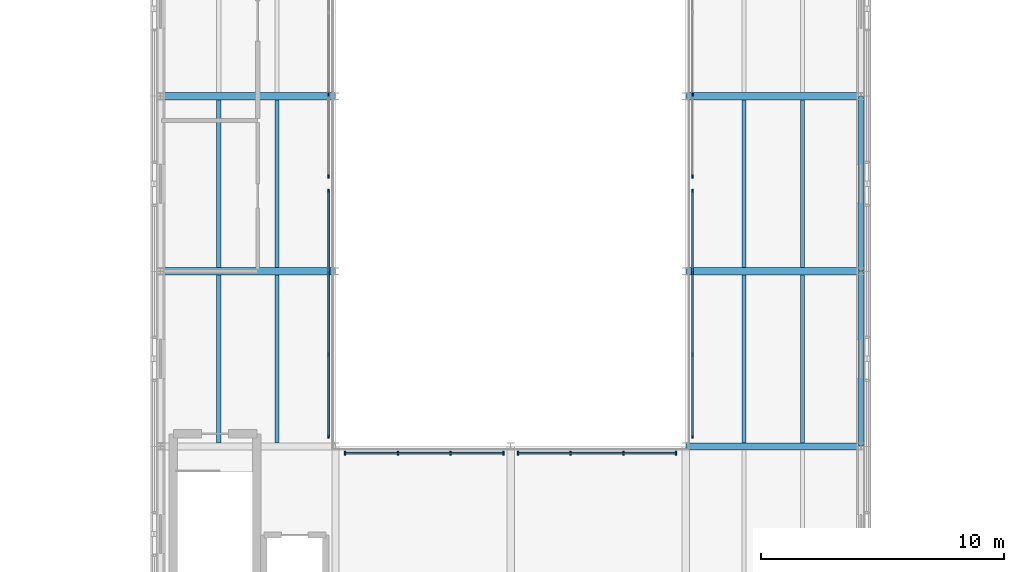
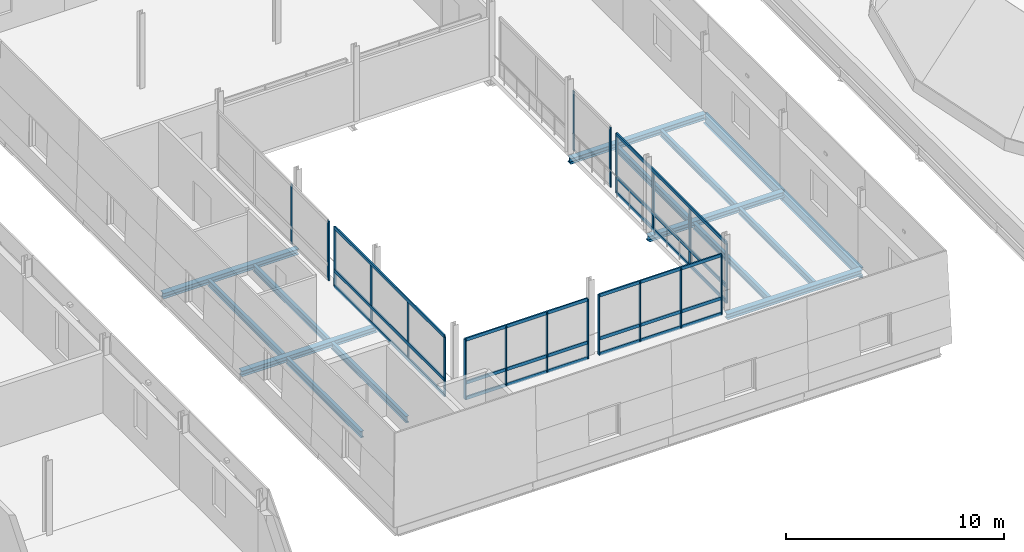
# One storey, part 10 of 66: 32 members, 15 beams, 6 elements without a shape of their own.
"""IFC4 building model written with IfcOpenShell, lengths in metres."""

from ifc_helpers import new_model, si_unit, direction, frame, origin, origin_2d, place, context, subcontext, project, spatial, rectangle, i_section, extrude, material, layer, layer_set, material_profile, profile_set, type_object, element, aggregate, save


model = new_model("IFC4")

# Units and contexts
model_context = context("Model", 3, precision=1e-05, world=origin(), true_north=direction((0.0, 1.0)))
body_context = subcontext(model_context, "Body", "Model", "MODEL_VIEW")
ifc_project = project(units=[si_unit("LENGTHUNIT", "METRE"), si_unit("AREAUNIT", "SQUARE_METRE"), si_unit("VOLUMEUNIT", "CUBIC_METRE"), si_unit("PLANEANGLEUNIT", "RADIAN"), si_unit("MASSUNIT", "GRAM", prefix="KILO")], contexts=[model_context])

# Site, building, storey
site_placement = place(None, origin())
site = spatial("IfcSite", under=ifc_project, at=site_placement, CompositionType="ELEMENT")
building_placement = place(site_placement, origin())
building = spatial("IfcBuilding", under=site, at=building_placement, Name="Narikvali Park Central Library", CompositionType="ELEMENT")
storey_placement = place(building_placement, frame((0.0, 0.0, 18.60009765625)))
storey = spatial("IfcBuildingStorey", under=building, at=storey_placement, Name="L04", CompositionType="ELEMENT", Elevation=18.60009765625)

# Beams
ifc_material_1 = material(Name="Steel S355", Category="steel")
ifc_material_profile_1 = material_profile(ifc_material_1, i_section(OverallWidth=0.169921875, OverallDepth=0.360107421875, WebThickness=0.008056640625, FlangeThickness=0.0126953125, FilletRadius=0.01806640625, at=origin_2d()), Name="IPE 360")
ifc_profile_set_1 = profile_set([ifc_material_profile_1], Name="Steel S355")
beam_type_1 = type_object("IfcBeamType", Name="Composite Floor Joist IPE360", PredefinedType="JOIST", material=ifc_profile_set_1)
for number, where, z_axis, x_axis, name in (
    (1, (31.199951171875, 64.949951171875, -0.440185546875), (0.0, 1.0, 0.0), (-1.0, 0.0, 0.0), "V4 L04 Composite Joist 1"),
    (2, (33.60009765625, 64.949951171875, -0.440185546875), (0.0, 1.0, 0.0), (-1.0, 0.0, 0.0), "V4 L04 Composite Joist 2"),
    (3, (31.199951171875, 72.14990234375, -0.440185546875), (0.0, 1.0, 0.0), (-1.0, 0.0, 0.0), "V4 L04 Composite Joist 1"),
    (4, (33.60009765625, 72.14990234375, -0.440185546875), (0.0, 1.0, 0.0), (-1.0, 0.0, 0.0), "V4 L04 Composite Joist 2"),
    (5, (52.800048828125, 64.949951171875, -0.440185546875), (0.0, 1.0, 0.0), (-1.0, 0.0, 0.0), "V4 L04 Composite Joist 1"),
    (6, (55.199951171875, 64.949951171875, -0.440185546875), (0.0, 1.0, 0.0), (-1.0, 0.0, 0.0), "V4 L04 Composite Joist 2"),
    (7, (52.800048828125, 72.14990234375, -0.440185546875), (0.0, 1.0, 0.0), (-1.0, 0.0, 0.0), "V4 L04 Composite Joist 1"),
    (8, (55.199951171875, 72.14990234375, -0.440185546875), (0.0, 1.0, 0.0), (-1.0, 0.0, 0.0), "V4 L04 Composite Joist 2"),
):
    element("IfcBeam", number, at=place(storey_placement, frame(where, z_axis=z_axis, x_axis=x_axis)), inside=storey, type_object=beam_type_1, Name=name, PredefinedType="JOIST", context=body_context, shape_type="SweptSolid", body=[
        extrude(i_section(OverallWidth=0.169921875, OverallDepth=0.360107421875, WebThickness=0.008056640625, FlangeThickness=0.0126953125, FilletRadius=0.01806640625, at=origin_2d()), origin(), (0.0, 0.0, 1.0), 6.900146484375),
    ])

# Curtain wall, members
ifc_material_2 = material(Name="Anodised Bronze Aluminium", Category="aluminium")
ifc_layer = layer(ifc_material_2, 0.219970703125, Name="Anodised Bronze Aluminium")
ifc_layer_set = layer_set([ifc_layer], Name="Anodised Bronze Aluminium")
curtain_wall_type = type_object("IfcCurtainWallType", Name="Atrium Tall Curtain Wall System", PredefinedType="NOTDEFINED", material=ifc_layer_set)
curtain_wall_1_placement = place(storey_placement, origin())
curtain_wall_1 = element("IfcCurtainWall", 9, at=curtain_wall_1_placement, inside=storey, type_object=curtain_wall_type, Name="Atrium Tall Curtain Wall System CW-INT-V4-L04-W1", PredefinedType="NOTDEFINED")
ifc_material_profile_2 = material_profile(ifc_material_2, rectangle(XDim=0.074951171875, YDim=0.179931640625, at=origin_2d()), Name="CW TRANSOM 75x180")
ifc_profile_set_2 = profile_set([ifc_material_profile_2], Name="Anodised Bronze Aluminium")
member_type_1 = type_object("IfcMemberType", Name="Curtain Wall Heavy Transom 75x180", PredefinedType="USERDEFINED", material=ifc_profile_set_2)
member_1_placement = place(storey_placement, frame((35.719970703125, 65.199951171875, 0.02978515625), z_axis=(0.0, 1.0, 0.0), x_axis=(-1.0, 0.0, 0.0)))
member_1 = element("IfcMember", 10, at=member_1_placement, type_object=member_type_1, Name="CW-INT-V4-L04-W1 Transom 00", ObjectType="TRANSOM", PredefinedType="USERDEFINED", context=body_context, shape_type="SweptSolid", body=[
    extrude(rectangle(XDim=0.074951171875, YDim=0.179931640625, at=origin_2d()), origin(), (0.0, 0.0, 1.0), 10.10009765625),
])
member_2_placement = place(storey_placement, frame((35.719970703125, 65.199951171875, 0.89990234375), z_axis=(0.0, 1.0, 0.0), x_axis=(-1.0, 0.0, 0.0)))
member_2 = element("IfcMember", 11, at=member_2_placement, type_object=member_type_1, Name="CW-INT-V4-L04-W1 Transom 01", ObjectType="TRANSOM", PredefinedType="USERDEFINED", context=body_context, shape_type="SweptSolid", body=[
    extrude(rectangle(XDim=0.074951171875, YDim=0.179931640625, at=origin_2d()), origin(), (0.0, 0.0, 1.0), 10.10009765625),
])
member_3_placement = place(storey_placement, frame((35.719970703125, 65.199951171875, 3.309814453125), z_axis=(0.0, 1.0, 0.0), x_axis=(-1.0, 0.0, 0.0)))
member_3 = element("IfcMember", 12, at=member_3_placement, type_object=member_type_1, Name="CW-INT-V4-L04-W1 Transom 02", ObjectType="TRANSOM", PredefinedType="USERDEFINED", context=body_context, shape_type="SweptSolid", body=[
    extrude(rectangle(XDim=0.074951171875, YDim=0.179931640625, at=origin_2d()), origin(), (0.0, 0.0, 1.0), 10.10009765625),
])

curtain_wall_2_placement = place(storey_placement, origin())
curtain_wall_2 = element("IfcCurtainWall", 13, at=curtain_wall_2_placement, inside=storey, type_object=curtain_wall_type, Name="Atrium Tall Curtain Wall System CW-INT-V4-L04-E1", PredefinedType="NOTDEFINED")
member_4_placement = place(storey_placement, frame((50.679931640625, 65.199951171875, 0.02978515625), z_axis=(0.0, 1.0, 0.0), x_axis=(-1.0, 0.0, 0.0)))
member_4 = element("IfcMember", 14, at=member_4_placement, type_object=member_type_1, Name="CW-INT-V4-L04-E1 Transom 00", ObjectType="TRANSOM", PredefinedType="USERDEFINED", context=body_context, shape_type="SweptSolid", body=[
    extrude(rectangle(XDim=0.074951171875, YDim=0.179931640625, at=origin_2d()), origin(), (0.0, 0.0, 1.0), 10.10009765625),
])
member_5_placement = place(storey_placement, frame((50.679931640625, 65.199951171875, 0.89990234375), z_axis=(0.0, 1.0, 0.0), x_axis=(-1.0, 0.0, 0.0)))
member_5 = element("IfcMember", 15, at=member_5_placement, type_object=member_type_1, Name="CW-INT-V4-L04-E1 Transom 01", ObjectType="TRANSOM", PredefinedType="USERDEFINED", context=body_context, shape_type="SweptSolid", body=[
    extrude(rectangle(XDim=0.074951171875, YDim=0.179931640625, at=origin_2d()), origin(), (0.0, 0.0, 1.0), 10.10009765625),
])
member_6_placement = place(storey_placement, frame((50.679931640625, 65.199951171875, 3.309814453125), z_axis=(0.0, 1.0, 0.0), x_axis=(-1.0, 0.0, 0.0)))
member_6 = element("IfcMember", 16, at=member_6_placement, type_object=member_type_1, Name="CW-INT-V4-L04-E1 Transom 02", ObjectType="TRANSOM", PredefinedType="USERDEFINED", context=body_context, shape_type="SweptSolid", body=[
    extrude(rectangle(XDim=0.074951171875, YDim=0.179931640625, at=origin_2d()), origin(), (0.0, 0.0, 1.0), 10.10009765625),
])

curtain_wall_3_placement = place(storey_placement, origin())
curtain_wall_3 = element("IfcCurtainWall", 17, at=curtain_wall_3_placement, inside=storey, type_object=curtain_wall_type, Name="Atrium Tall Curtain Wall System CW-INT-V4-L04-S1", PredefinedType="NOTDEFINED")
member_7_placement = place(storey_placement, frame((36.39990234375, 64.52001953125, 0.02978515625), z_axis=(1.0, 0.0, 0.0), x_axis=(0.0, 1.0, 0.0)))
member_7 = element("IfcMember", 18, at=member_7_placement, type_object=member_type_1, Name="CW-INT-V4-L04-S1 Transom 00", ObjectType="TRANSOM", PredefinedType="USERDEFINED", context=body_context, shape_type="SweptSolid", body=[
    extrude(rectangle(XDim=0.074951171875, YDim=0.179931640625, at=origin_2d()), origin(), (0.0, 0.0, 1.0), 6.5),
])
member_8_placement = place(storey_placement, frame((36.39990234375, 64.52001953125, 0.89990234375), z_axis=(1.0, 0.0, 0.0), x_axis=(0.0, 1.0, 0.0)))
member_8 = element("IfcMember", 19, at=member_8_placement, type_object=member_type_1, Name="CW-INT-V4-L04-S1 Transom 01", ObjectType="TRANSOM", PredefinedType="USERDEFINED", context=body_context, shape_type="SweptSolid", body=[
    extrude(rectangle(XDim=0.074951171875, YDim=0.179931640625, at=origin_2d()), origin(), (0.0, 0.0, 1.0), 6.5),
])
member_9_placement = place(storey_placement, frame((36.39990234375, 64.52001953125, 3.309814453125), z_axis=(1.0, 0.0, 0.0), x_axis=(0.0, 1.0, 0.0)))
member_9 = element("IfcMember", 20, at=member_9_placement, type_object=member_type_1, Name="CW-INT-V4-L04-S1 Transom 02", ObjectType="TRANSOM", PredefinedType="USERDEFINED", context=body_context, shape_type="SweptSolid", body=[
    extrude(rectangle(XDim=0.074951171875, YDim=0.179931640625, at=origin_2d()), origin(), (0.0, 0.0, 1.0), 6.5),
])

curtain_wall_4_placement = place(storey_placement, origin())
curtain_wall_4 = element("IfcCurtainWall", 21, at=curtain_wall_4_placement, inside=storey, type_object=curtain_wall_type, Name="Atrium Tall Curtain Wall System CW-INT-V4-L04-S2", PredefinedType="NOTDEFINED")
member_10_placement = place(storey_placement, frame((43.5, 64.52001953125, 0.02978515625), z_axis=(1.0, 0.0, 0.0), x_axis=(0.0, 1.0, 0.0)))
member_10 = element("IfcMember", 22, at=member_10_placement, type_object=member_type_1, Name="CW-INT-V4-L04-S2 Transom 00", ObjectType="TRANSOM", PredefinedType="USERDEFINED", context=body_context, shape_type="SweptSolid", body=[
    extrude(rectangle(XDim=0.074951171875, YDim=0.179931640625, at=origin_2d()), origin(), (0.0, 0.0, 1.0), 6.5),
])
member_11_placement = place(storey_placement, frame((43.5, 64.52001953125, 0.89990234375), z_axis=(1.0, 0.0, 0.0), x_axis=(0.0, 1.0, 0.0)))
member_11 = element("IfcMember", 23, at=member_11_placement, type_object=member_type_1, Name="CW-INT-V4-L04-S2 Transom 01", ObjectType="TRANSOM", PredefinedType="USERDEFINED", context=body_context, shape_type="SweptSolid", body=[
    extrude(rectangle(XDim=0.074951171875, YDim=0.179931640625, at=origin_2d()), origin(), (0.0, 0.0, 1.0), 6.5),
])
member_12_placement = place(storey_placement, frame((43.5, 64.52001953125, 3.309814453125), z_axis=(1.0, 0.0, 0.0), x_axis=(0.0, 1.0, 0.0)))
member_12 = element("IfcMember", 24, at=member_12_placement, type_object=member_type_1, Name="CW-INT-V4-L04-S2 Transom 02", ObjectType="TRANSOM", PredefinedType="USERDEFINED", context=body_context, shape_type="SweptSolid", body=[
    extrude(rectangle(XDim=0.074951171875, YDim=0.179931640625, at=origin_2d()), origin(), (0.0, 0.0, 1.0), 6.5),
])

# Member
ifc_material_profile_3 = material_profile(ifc_material_2, rectangle(XDim=0.06005859375, YDim=0.14990234375, at=origin_2d()), Name="CW MULLION 60x150")
ifc_profile_set_3 = profile_set([ifc_material_profile_3], Name="Anodised Bronze Aluminium")
member_type_2 = type_object("IfcMemberType", Name="Curtain Wall Mullion 60x150", PredefinedType="MULLION", material=ifc_profile_set_3)
member_13_placement = place(storey_placement, frame((35.719970703125, 65.199951171875, -0.010009765625), z_axis=(0.0, 0.0, 1.0), x_axis=(1.0, 0.0, 0.0)))
member_13 = element("IfcMember", 25, at=member_13_placement, type_object=member_type_2, Name="CW-INT-V4-L04-W1 Mullion 00", PredefinedType="MULLION", context=body_context, shape_type="SweptSolid", body=[
    extrude(rectangle(XDim=0.06005859375, YDim=0.14990234375, at=origin_2d()), origin(), (0.0, 0.0, 1.0), 3.349853515625),
])

member_14_placement = place(storey_placement, frame((35.719970703125, 68.566650390625, -0.010009765625), z_axis=(0.0, 0.0, 1.0), x_axis=(1.0, 0.0, 0.0)))
member_14 = element("IfcMember", 26, at=member_14_placement, type_object=member_type_2, Name="CW-INT-V4-L04-W1 Mullion 01", PredefinedType="MULLION", context=body_context, shape_type="SweptSolid", body=[
    extrude(rectangle(XDim=0.06005859375, YDim=0.14990234375, at=origin_2d()), origin(), (0.0, 0.0, 1.0), 3.349853515625),
])

member_15_placement = place(storey_placement, frame((35.719970703125, 71.933349609375, -0.010009765625), z_axis=(0.0, 0.0, 1.0), x_axis=(1.0, 0.0, 0.0)))
member_15 = element("IfcMember", 27, at=member_15_placement, type_object=member_type_2, Name="CW-INT-V4-L04-W1 Mullion 02", PredefinedType="MULLION", context=body_context, shape_type="SweptSolid", body=[
    extrude(rectangle(XDim=0.06005859375, YDim=0.14990234375, at=origin_2d()), origin(), (0.0, 0.0, 1.0), 3.349853515625),
])

member_16_placement = place(storey_placement, frame((35.719970703125, 75.300048828125, -0.010009765625), z_axis=(0.0, 0.0, 1.0), x_axis=(1.0, 0.0, 0.0)))
member_16 = element("IfcMember", 28, at=member_16_placement, type_object=member_type_2, Name="CW-INT-V4-L04-W1 Mullion 03", PredefinedType="MULLION", context=body_context, shape_type="SweptSolid", body=[
    extrude(rectangle(XDim=0.06005859375, YDim=0.14990234375, at=origin_2d()), origin(), (0.0, 0.0, 1.0), 3.349853515625),
])

aggregate(curtain_wall_1, [member_13, member_14, member_15, member_16, member_1, member_2, member_3])

# Curtain wall, members
curtain_wall_5_placement = place(storey_placement, origin())
curtain_wall_5 = element("IfcCurtainWall", 29, at=curtain_wall_5_placement, inside=storey, type_object=curtain_wall_type, Name="Atrium Tall Curtain Wall System CW-INT-V4-L04-W2", PredefinedType="NOTDEFINED")
member_17_placement = place(storey_placement, frame((35.719970703125, 75.89990234375, -0.010009765625), z_axis=(0.0, 0.0, 1.0), x_axis=(1.0, 0.0, 0.0)))
member_17 = element("IfcMember", 30, at=member_17_placement, type_object=member_type_2, Name="CW-INT-V4-L04-W2 Mullion 00", PredefinedType="MULLION", context=body_context, shape_type="SweptSolid", body=[
    extrude(rectangle(XDim=0.06005859375, YDim=0.14990234375, at=origin_2d()), origin(), (0.0, 0.0, 1.0), 3.349853515625),
])
member_18_placement = place(storey_placement, frame((35.719970703125, 79.2666015625, -0.010009765625), z_axis=(0.0, 0.0, 1.0), x_axis=(1.0, 0.0, 0.0)))
member_18 = element("IfcMember", 31, at=member_18_placement, type_object=member_type_2, Name="CW-INT-V4-L04-W2 Mullion 01", PredefinedType="MULLION", context=body_context, shape_type="SweptSolid", body=[
    extrude(rectangle(XDim=0.06005859375, YDim=0.14990234375, at=origin_2d()), origin(), (0.0, 0.0, 1.0), 3.349853515625),
])
aggregate(curtain_wall_5, [member_17, member_18])

# Member
member_19_placement = place(storey_placement, frame((50.679931640625, 65.199951171875, -0.010009765625), z_axis=(0.0, 0.0, 1.0), x_axis=(1.0, 0.0, 0.0)))
member_19 = element("IfcMember", 32, at=member_19_placement, type_object=member_type_2, Name="CW-INT-V4-L04-E1 Mullion 00", PredefinedType="MULLION", context=body_context, shape_type="SweptSolid", body=[
    extrude(rectangle(XDim=0.06005859375, YDim=0.14990234375, at=origin_2d()), origin(), (0.0, 0.0, 1.0), 3.349853515625),
])

member_20_placement = place(storey_placement, frame((50.679931640625, 68.566650390625, -0.010009765625), z_axis=(0.0, 0.0, 1.0), x_axis=(1.0, 0.0, 0.0)))
member_20 = element("IfcMember", 33, at=member_20_placement, type_object=member_type_2, Name="CW-INT-V4-L04-E1 Mullion 01", PredefinedType="MULLION", context=body_context, shape_type="SweptSolid", body=[
    extrude(rectangle(XDim=0.06005859375, YDim=0.14990234375, at=origin_2d()), origin(), (0.0, 0.0, 1.0), 3.349853515625),
])

member_21_placement = place(storey_placement, frame((50.679931640625, 71.933349609375, -0.010009765625), z_axis=(0.0, 0.0, 1.0), x_axis=(1.0, 0.0, 0.0)))
member_21 = element("IfcMember", 34, at=member_21_placement, type_object=member_type_2, Name="CW-INT-V4-L04-E1 Mullion 02", PredefinedType="MULLION", context=body_context, shape_type="SweptSolid", body=[
    extrude(rectangle(XDim=0.06005859375, YDim=0.14990234375, at=origin_2d()), origin(), (0.0, 0.0, 1.0), 3.349853515625),
])

member_22_placement = place(storey_placement, frame((50.679931640625, 75.300048828125, -0.010009765625), z_axis=(0.0, 0.0, 1.0), x_axis=(1.0, 0.0, 0.0)))
member_22 = element("IfcMember", 35, at=member_22_placement, type_object=member_type_2, Name="CW-INT-V4-L04-E1 Mullion 03", PredefinedType="MULLION", context=body_context, shape_type="SweptSolid", body=[
    extrude(rectangle(XDim=0.06005859375, YDim=0.14990234375, at=origin_2d()), origin(), (0.0, 0.0, 1.0), 3.349853515625),
])

aggregate(curtain_wall_2, [member_19, member_20, member_21, member_22, member_4, member_5, member_6])

# Curtain wall, members
curtain_wall_6_placement = place(storey_placement, origin())
curtain_wall_6 = element("IfcCurtainWall", 36, at=curtain_wall_6_placement, inside=storey, type_object=curtain_wall_type, Name="Atrium Tall Curtain Wall System CW-INT-V4-L04-E2", PredefinedType="NOTDEFINED")
member_23_placement = place(storey_placement, frame((50.679931640625, 75.89990234375, -0.010009765625), z_axis=(0.0, 0.0, 1.0), x_axis=(1.0, 0.0, 0.0)))
member_23 = element("IfcMember", 37, at=member_23_placement, type_object=member_type_2, Name="CW-INT-V4-L04-E2 Mullion 00", PredefinedType="MULLION", context=body_context, shape_type="SweptSolid", body=[
    extrude(rectangle(XDim=0.06005859375, YDim=0.14990234375, at=origin_2d()), origin(), (0.0, 0.0, 1.0), 3.349853515625),
])
member_24_placement = place(storey_placement, frame((50.679931640625, 79.2666015625, -0.010009765625), z_axis=(0.0, 0.0, 1.0), x_axis=(1.0, 0.0, 0.0)))
member_24 = element("IfcMember", 38, at=member_24_placement, type_object=member_type_2, Name="CW-INT-V4-L04-E2 Mullion 01", PredefinedType="MULLION", context=body_context, shape_type="SweptSolid", body=[
    extrude(rectangle(XDim=0.06005859375, YDim=0.14990234375, at=origin_2d()), origin(), (0.0, 0.0, 1.0), 3.349853515625),
])
aggregate(curtain_wall_6, [member_23, member_24])

# Member
member_25_placement = place(storey_placement, frame((36.39990234375, 64.52001953125, -0.010009765625), z_axis=(0.0, 0.0, 1.0), x_axis=(1.0, 0.0, 0.0)))
member_25 = element("IfcMember", 39, at=member_25_placement, type_object=member_type_2, Name="CW-INT-V4-L04-S1 Mullion 00", PredefinedType="MULLION", context=body_context, shape_type="SweptSolid", body=[
    extrude(rectangle(XDim=0.06005859375, YDim=0.14990234375, at=origin_2d()), origin(), (0.0, 0.0, 1.0), 3.349853515625),
])

member_26_placement = place(storey_placement, frame((38.566650390625, 64.52001953125, -0.010009765625), z_axis=(0.0, 0.0, 1.0), x_axis=(1.0, 0.0, 0.0)))
member_26 = element("IfcMember", 40, at=member_26_placement, type_object=member_type_2, Name="CW-INT-V4-L04-S1 Mullion 01", PredefinedType="MULLION", context=body_context, shape_type="SweptSolid", body=[
    extrude(rectangle(XDim=0.06005859375, YDim=0.14990234375, at=origin_2d()), origin(), (0.0, 0.0, 1.0), 3.349853515625),
])

member_27_placement = place(storey_placement, frame((40.7333984375, 64.52001953125, -0.010009765625), z_axis=(0.0, 0.0, 1.0), x_axis=(1.0, 0.0, 0.0)))
member_27 = element("IfcMember", 41, at=member_27_placement, type_object=member_type_2, Name="CW-INT-V4-L04-S1 Mullion 02", PredefinedType="MULLION", context=body_context, shape_type="SweptSolid", body=[
    extrude(rectangle(XDim=0.06005859375, YDim=0.14990234375, at=origin_2d()), origin(), (0.0, 0.0, 1.0), 3.349853515625),
])

member_28_placement = place(storey_placement, frame((42.89990234375, 64.52001953125, -0.010009765625), z_axis=(0.0, 0.0, 1.0), x_axis=(1.0, 0.0, 0.0)))
member_28 = element("IfcMember", 42, at=member_28_placement, type_object=member_type_2, Name="CW-INT-V4-L04-S1 Mullion 03", PredefinedType="MULLION", context=body_context, shape_type="SweptSolid", body=[
    extrude(rectangle(XDim=0.06005859375, YDim=0.14990234375, at=origin_2d()), origin(), (0.0, 0.0, 1.0), 3.349853515625),
])

aggregate(curtain_wall_3, [member_25, member_26, member_27, member_28, member_7, member_8, member_9])

member_29_placement = place(storey_placement, frame((43.5, 64.52001953125, -0.010009765625), z_axis=(0.0, 0.0, 1.0), x_axis=(1.0, 0.0, 0.0)))
member_29 = element("IfcMember", 43, at=member_29_placement, type_object=member_type_2, Name="CW-INT-V4-L04-S2 Mullion 00", PredefinedType="MULLION", context=body_context, shape_type="SweptSolid", body=[
    extrude(rectangle(XDim=0.06005859375, YDim=0.14990234375, at=origin_2d()), origin(), (0.0, 0.0, 1.0), 3.349853515625),
])

member_30_placement = place(storey_placement, frame((45.666748046875, 64.52001953125, -0.010009765625), z_axis=(0.0, 0.0, 1.0), x_axis=(1.0, 0.0, 0.0)))
member_30 = element("IfcMember", 44, at=member_30_placement, type_object=member_type_2, Name="CW-INT-V4-L04-S2 Mullion 01", PredefinedType="MULLION", context=body_context, shape_type="SweptSolid", body=[
    extrude(rectangle(XDim=0.06005859375, YDim=0.14990234375, at=origin_2d()), origin(), (0.0, 0.0, 1.0), 3.349853515625),
])

member_31_placement = place(storey_placement, frame((47.833251953125, 64.52001953125, -0.010009765625), z_axis=(0.0, 0.0, 1.0), x_axis=(1.0, 0.0, 0.0)))
member_31 = element("IfcMember", 45, at=member_31_placement, type_object=member_type_2, Name="CW-INT-V4-L04-S2 Mullion 02", PredefinedType="MULLION", context=body_context, shape_type="SweptSolid", body=[
    extrude(rectangle(XDim=0.06005859375, YDim=0.14990234375, at=origin_2d()), origin(), (0.0, 0.0, 1.0), 3.349853515625),
])

member_32_placement = place(storey_placement, frame((50.0, 64.52001953125, -0.010009765625), z_axis=(0.0, 0.0, 1.0), x_axis=(1.0, 0.0, 0.0)))
member_32 = element("IfcMember", 46, at=member_32_placement, type_object=member_type_2, Name="CW-INT-V4-L04-S2 Mullion 03", PredefinedType="MULLION", context=body_context, shape_type="SweptSolid", body=[
    extrude(rectangle(XDim=0.06005859375, YDim=0.14990234375, at=origin_2d()), origin(), (0.0, 0.0, 1.0), 3.349853515625),
])

aggregate(curtain_wall_4, [member_29, member_30, member_31, member_32, member_10, member_11, member_12])

# Beams
ifc_material_profile_4 = material_profile(ifc_material_1, i_section(OverallWidth=0.2099609375, OverallDepth=0.550048828125, WebThickness=0.010986328125, FlangeThickness=0.01708984375, FilletRadius=0.02392578125, at=origin_2d()), Name="IPE 550")
ifc_profile_set_4 = profile_set([ifc_material_profile_4], Name="Steel S355")
beam_type_2 = type_object("IfcBeamType", Name="Perimeter Spandrel IPE550", PredefinedType="SPANDREL", material=ifc_profile_set_4)
for number, where, z_axis, x_axis, name in (
    (47, (57.60009765625, 64.80810546875, -0.53515625), (0.0, 1.0, 0.0), (-1.0, 0.0, 0.0), "V4 L04 Girder Y"),
    (48, (57.60009765625, 72.008056640625, -0.53515625), (0.0, 1.0, 0.0), (-1.0, 0.0, 0.0), "V4 L04 Girder Y"),
):
    element("IfcBeam", number, at=place(storey_placement, frame(where, z_axis=z_axis, x_axis=x_axis)), inside=storey, type_object=beam_type_2, Name=name, PredefinedType="SPANDREL", context=body_context, shape_type="SweptSolid", body=[
        extrude(i_section(OverallWidth=0.2099609375, OverallDepth=0.550048828125, WebThickness=0.010986328125, FlangeThickness=0.01708984375, FilletRadius=0.02392578125, at=origin_2d()), origin(), (0.0, 0.0, 1.0), 7.183837890625),
    ])
ifc_material_profile_5 = material_profile(ifc_material_1, i_section(OverallWidth=0.300048828125, OverallDepth=0.31005859375, WebThickness=0.009033203125, FlangeThickness=0.015380859375, FilletRadius=0.027099609375, at=origin_2d()), Name="HEA 320")
ifc_profile_set_5 = profile_set([ifc_material_profile_5], Name="Steel S355")
beam_type_3 = type_object("IfcBeamType", Name="Primary Girder HEA320", PredefinedType="BEAM", material=ifc_profile_set_5)
beam_1_placement = place(storey_placement, frame((50.407958984375, 64.800048828125, -0.4150390625), z_axis=(1.0, 0.0, 0.0), x_axis=(0.0, 1.0, 0.0)))
element("IfcBeam", 49, at=beam_1_placement, inside=storey, type_object=beam_type_3, Name="V4 L04 Girder X", PredefinedType="BEAM", context=body_context, shape_type="SweptSolid", body=[
    extrude(i_section(OverallWidth=0.300048828125, OverallDepth=0.31005859375, WebThickness=0.009033203125, FlangeThickness=0.015380859375, FilletRadius=0.027099609375, at=origin_2d()), origin(), (0.0, 0.0, 1.0), 7.18408203125),
])
beam_2_placement = place(storey_placement, frame((28.80810546875, 72.0, -0.4150390625), z_axis=(1.0, 0.0, 0.0), x_axis=(0.0, 1.0, 0.0)))
element("IfcBeam", 50, at=beam_2_placement, inside=storey, type_object=beam_type_3, Name="V4 L04 Girder X", PredefinedType="BEAM", context=body_context, shape_type="SweptSolid", body=[
    extrude(i_section(OverallWidth=0.300048828125, OverallDepth=0.31005859375, WebThickness=0.009033203125, FlangeThickness=0.015380859375, FilletRadius=0.027099609375, at=origin_2d()), origin(), (0.0, 0.0, 1.0), 7.183837890625),
])
beam_3_placement = place(storey_placement, frame((50.407958984375, 72.0, -0.4150390625), z_axis=(1.0, 0.0, 0.0), x_axis=(0.0, 1.0, 0.0)))
element("IfcBeam", 51, at=beam_3_placement, inside=storey, type_object=beam_type_3, Name="V4 L04 Girder X", PredefinedType="BEAM", context=body_context, shape_type="SweptSolid", body=[
    extrude(i_section(OverallWidth=0.300048828125, OverallDepth=0.31005859375, WebThickness=0.009033203125, FlangeThickness=0.015380859375, FilletRadius=0.027099609375, at=origin_2d()), origin(), (0.0, 0.0, 1.0), 7.18408203125),
])
beam_4_placement = place(storey_placement, frame((28.80810546875, 79.199951171875, -0.4150390625), z_axis=(1.0, 0.0, 0.0), x_axis=(0.0, 1.0, 0.0)))
element("IfcBeam", 52, at=beam_4_placement, inside=storey, type_object=beam_type_3, Name="V4 L04 Girder X", PredefinedType="BEAM", context=body_context, shape_type="SweptSolid", body=[
    extrude(i_section(OverallWidth=0.300048828125, OverallDepth=0.31005859375, WebThickness=0.009033203125, FlangeThickness=0.015380859375, FilletRadius=0.027099609375, at=origin_2d()), origin(), (0.0, 0.0, 1.0), 7.183837890625),
])
beam_5_placement = place(storey_placement, frame((50.407958984375, 79.199951171875, -0.4150390625), z_axis=(1.0, 0.0, 0.0), x_axis=(0.0, 1.0, 0.0)))
element("IfcBeam", 53, at=beam_5_placement, inside=storey, type_object=beam_type_3, Name="V4 L04 Girder X", PredefinedType="BEAM", context=body_context, shape_type="SweptSolid", body=[
    extrude(i_section(OverallWidth=0.300048828125, OverallDepth=0.31005859375, WebThickness=0.009033203125, FlangeThickness=0.015380859375, FilletRadius=0.027099609375, at=origin_2d()), origin(), (0.0, 0.0, 1.0), 7.18408203125),
])

save(model, "model.ifc")
